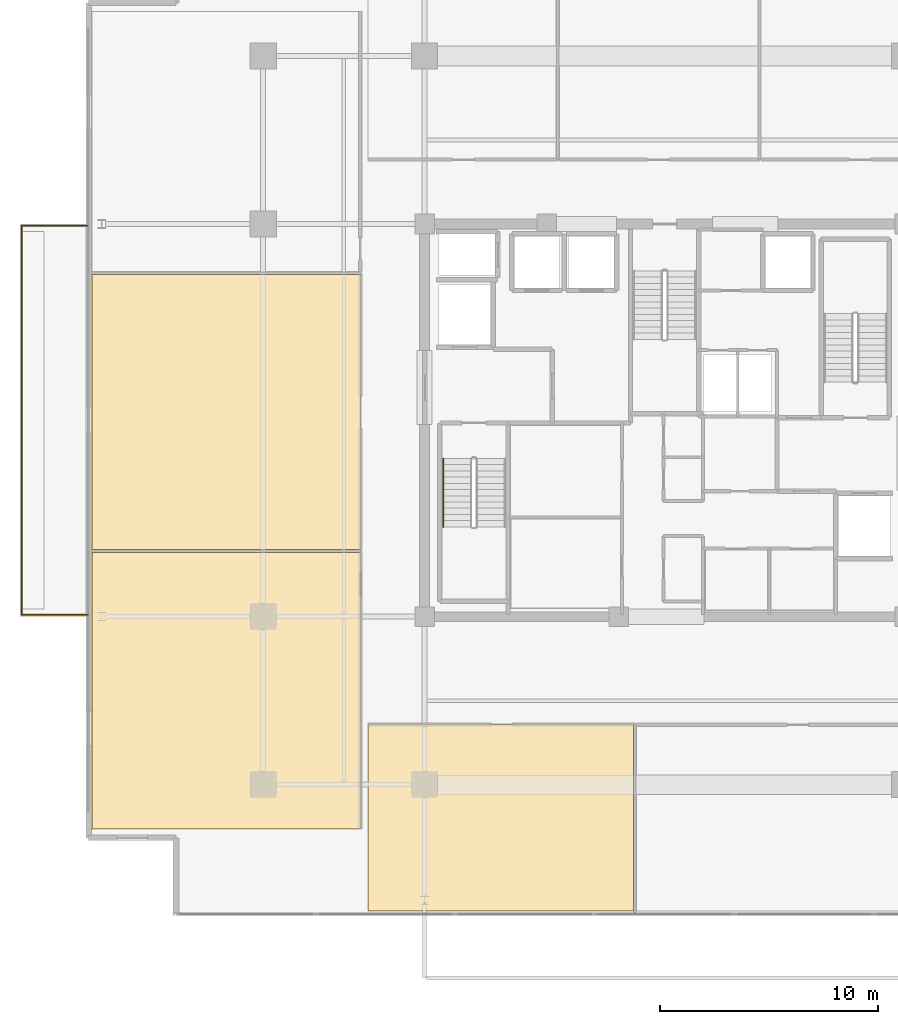
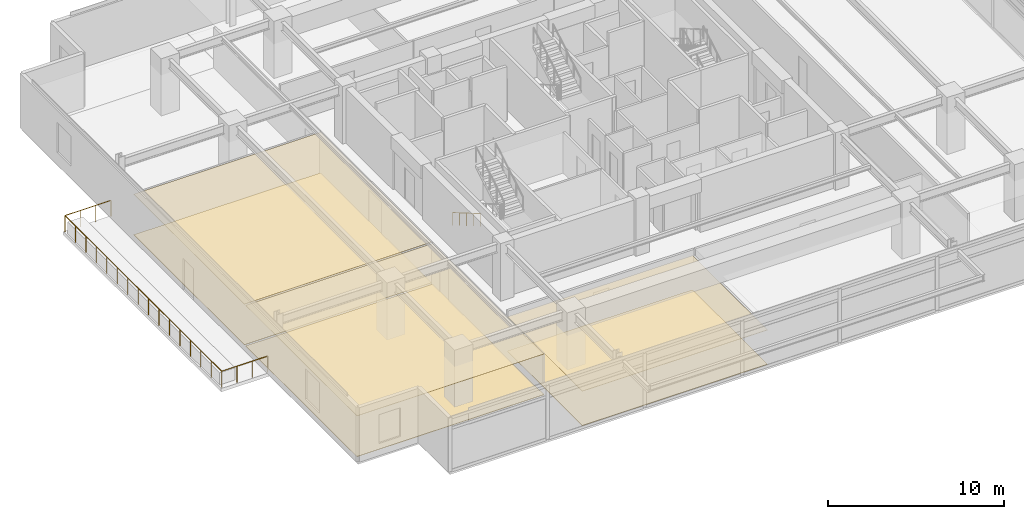
# One storey, part 16 of 19: 6 coverings, 2 railings.
"""IFC4 building model written with IfcOpenShell, lengths in metres."""

from ifc_helpers import new_model, si_unit, direction, frame, origin, origin_2d, place, context, subcontext, project, spatial, polyline, circle, outline, extrude, material, layer, layer_set, type_object, element, save


model = new_model("IFC4")

# Units and contexts
model_context = context("Model", 3, precision=1e-05, world=origin(), true_north=direction((0.0, 1.0)))
body_context = subcontext(model_context, "Body", "Model", "MODEL_VIEW")
ifc_project = project(units=[si_unit("LENGTHUNIT", "METRE"), si_unit("AREAUNIT", "SQUARE_METRE"), si_unit("VOLUMEUNIT", "CUBIC_METRE"), si_unit("PLANEANGLEUNIT", "RADIAN"), si_unit("MASSUNIT", "GRAM", prefix="KILO")], contexts=[model_context])

# Site, building, storey
site_placement = place(None, origin())
site = spatial("IfcSite", under=ifc_project, at=site_placement, CompositionType="ELEMENT")
building_placement = place(site_placement, origin())
building = spatial("IfcBuilding", under=site, at=building_placement, Name="Kovane Verandah Tower", CompositionType="ELEMENT")
storey_placement = place(building_placement, frame((0.0, 0.0, 255.199951171875)))
storey = spatial("IfcBuildingStorey", under=building, at=storey_placement, Name="L59", CompositionType="ELEMENT", Elevation=255.199951171875)

# Coverings
ifc_material_1 = material(Name="Perforated Acoustic Mineral-Fibre Ceiling Tile", Category="gypsum")
ifc_layer_1 = layer(ifc_material_1, 0.02490234375)
ifc_layer_set_1 = layer_set([ifc_layer_1], Name="Perforated Acoustic Mineral-Fibre Ceiling Tile")
covering_type_1 = type_object("IfcCoveringType", Name="CV-CEIL-25", PredefinedType="CEILING", material=ifc_layer_set_1)
covering_1_placement = place(storey_placement, frame((0.0, 0.0, 2.39013671875)))
element("IfcCovering", 1, at=covering_1_placement, inside=storey, type_object=covering_type_1, Name="L59 Document and Print Room S1 Acoustic Ceiling", PredefinedType="CEILING", context=body_context, shape_type="SweptSolid", body=[
    extrude(outline(polyline([(26.39990234375, 5.012451171875), (38.570068359375, 5.012451171875), (38.570068359375, 13.550048828125), (26.39990234375, 13.550048828125), (26.39990234375, 5.012451171875)])), origin(), (0.0, 0.0, 1.0), 0.02490234375),
])
covering_2_placement = place(storey_placement, frame((0.0, 0.0, 2.824951171875)))
element("IfcCovering", 2, at=covering_2_placement, inside=storey, type_object=covering_type_1, Name="L59 Executive Office W1 Acoustic Ceiling", PredefinedType="CEILING", context=body_context, shape_type="SweptSolid", body=[
    extrude(outline(polyline([(13.753662109375, 8.762451171875), (26.050048828125, 8.762451171875), (26.050048828125, 21.43408203125), (13.753662109375, 21.43408203125), (13.753662109375, 8.762451171875)])), origin(), (0.0, 0.0, 1.0), 0.025146484375),
])
covering_3_placement = place(storey_placement, frame((0.0, 0.0, 2.824951171875)))
element("IfcCovering", 3, at=covering_3_placement, inside=storey, type_object=covering_type_1, Name="L59 Client Boardroom W2 Acoustic Ceiling", PredefinedType="CEILING", context=body_context, shape_type="SweptSolid", body=[
    extrude(outline(polyline([(13.753662109375, 21.573974609375), (26.050048828125, 21.573974609375), (26.050048828125, 34.175537109375), (13.753662109375, 34.175537109375), (13.753662109375, 21.573974609375)])), origin(), (0.0, 0.0, 1.0), 0.025146484375),
])
ifc_material_2 = material(Name="Polished Terrazzo and Raised-Access Carpet Tile Finish", Category="concrete")
ifc_layer_2 = layer(ifc_material_2, 0.030029296875)
ifc_layer_set_2 = layer_set([ifc_layer_2], Name="Polished Terrazzo and Raised-Access Carpet Tile Finish")
covering_type_2 = type_object("IfcCoveringType", Name="CV-FLOR-30", PredefinedType="FLOORING", material=ifc_layer_set_2)
covering_4_placement = place(storey_placement, origin())
element("IfcCovering", 4, at=covering_4_placement, inside=storey, type_object=covering_type_2, Name="L59 Document and Print Room S1 Floor Finish", PredefinedType="FLOORING", context=body_context, shape_type="SweptSolid", body=[
    extrude(outline(polyline([(26.39990234375, 5.012451171875), (38.570068359375, 5.012451171875), (38.570068359375, 13.550048828125), (26.39990234375, 13.550048828125), (26.39990234375, 5.012451171875)])), origin(), (0.0, 0.0, 1.0), 0.030029296875),
])
covering_5_placement = place(storey_placement, origin())
element("IfcCovering", 5, at=covering_5_placement, inside=storey, type_object=covering_type_2, Name="L59 Executive Office W1 Floor Finish", PredefinedType="FLOORING", context=body_context, shape_type="SweptSolid", body=[
    extrude(outline(polyline([(13.753662109375, 8.762451171875), (26.050048828125, 8.762451171875), (26.050048828125, 21.43408203125), (13.753662109375, 21.43408203125), (13.753662109375, 8.762451171875)])), origin(), (0.0, 0.0, 1.0), 0.030029296875),
])
covering_6_placement = place(storey_placement, origin())
element("IfcCovering", 6, at=covering_6_placement, inside=storey, type_object=covering_type_2, Name="L59 Client Boardroom W2 Floor Finish", PredefinedType="FLOORING", context=body_context, shape_type="SweptSolid", body=[
    extrude(outline(polyline([(13.753662109375, 21.573974609375), (26.050048828125, 21.573974609375), (26.050048828125, 34.175537109375), (13.753662109375, 34.175537109375), (13.753662109375, 21.573974609375)])), origin(), (0.0, 0.0, 1.0), 0.030029296875),
])

# Railings
ifc_material_3 = material(Name="Laminated Glass and Pale-Champagne Stainless Balustrade", Category="glass")
railing_type_1 = type_object("IfcRailingType", Name="RL-BAL-1150", PredefinedType="BALUSTRADE", material=ifc_material_3)
railing_1_placement = place(storey_placement, frame((13.5537109375, 18.580078125, 0.0)))
element("IfcRailing", 7, at=railing_1_placement, inside=storey, type_object=railing_type_1, Name="L59 W Verandah Glass Balustrade", PredefinedType="BALUSTRADE", context=body_context, shape_type="SweptSolid", body=[
    extrude(circle(Radius=0.02392578125, at=origin_2d()), frame((0.0, 0.0, 1.1259765625), z_axis=(-1.0, 0.0, 0.0), x_axis=(0.0, -1.0, 0.0)), (0.0, 0.0, 1.0), 3.02001953125),
    extrude(circle(Radius=0.02392578125, at=origin_2d()), frame((-3.02001953125, 0.0, 1.1259765625), z_axis=(0.0, 1.0, 0.0), x_axis=(-1.0, 0.0, 0.0)), (0.0, 0.0, 1.0), 17.83984375),
    extrude(circle(Radius=0.02392578125, at=origin_2d()), frame((-3.02001953125, 17.83984375, 1.1259765625), z_axis=(1.0, 0.0, 0.0), x_axis=(0.0, 1.0, 0.0)), (0.0, 0.0, 1.0), 3.02001953125),
    extrude(circle(Radius=0.02099609375, at=origin_2d()), origin(), (0.0, 0.0, 1.0), 1.101806640625),
    extrude(circle(Radius=0.02099609375, at=origin_2d()), frame((-1.006591796875, 0.0, 0.0)), (0.0, 0.0, 1.0), 1.101806640625),
    extrude(circle(Radius=0.02099609375, at=origin_2d()), frame((-2.013427734375, 0.0, 0.0)), (0.0, 0.0, 1.0), 1.101806640625),
    extrude(circle(Radius=0.02099609375, at=origin_2d()), frame((-3.02001953125, 0.0, 0.0)), (0.0, 0.0, 1.0), 1.101806640625),
    extrude(circle(Radius=0.02099609375, at=origin_2d()), frame((-3.02001953125, 1.189208984375, 0.0)), (0.0, 0.0, 1.0), 1.101806640625),
    extrude(circle(Radius=0.02099609375, at=origin_2d()), frame((-3.02001953125, 2.378662109375, 0.0)), (0.0, 0.0, 1.0), 1.101806640625),
    extrude(circle(Radius=0.02099609375, at=origin_2d()), frame((-3.02001953125, 3.56787109375, 0.0)), (0.0, 0.0, 1.0), 1.101806640625),
    extrude(circle(Radius=0.02099609375, at=origin_2d()), frame((-3.02001953125, 4.75732421875, 0.0)), (0.0, 0.0, 1.0), 1.101806640625),
    extrude(circle(Radius=0.02099609375, at=origin_2d()), frame((-3.02001953125, 5.946533203125, 0.0)), (0.0, 0.0, 1.0), 1.101806640625),
    extrude(circle(Radius=0.02099609375, at=origin_2d()), frame((-3.02001953125, 7.135986328125, 0.0)), (0.0, 0.0, 1.0), 1.101806640625),
    extrude(circle(Radius=0.02099609375, at=origin_2d()), frame((-3.02001953125, 8.3251953125, 0.0)), (0.0, 0.0, 1.0), 1.101806640625),
    extrude(circle(Radius=0.02099609375, at=origin_2d()), frame((-3.02001953125, 9.5146484375, 0.0)), (0.0, 0.0, 1.0), 1.101806640625),
    extrude(circle(Radius=0.02099609375, at=origin_2d()), frame((-3.02001953125, 10.703857421875, 0.0)), (0.0, 0.0, 1.0), 1.101806640625),
    extrude(circle(Radius=0.02099609375, at=origin_2d()), frame((-3.02001953125, 11.893310546875, 0.0)), (0.0, 0.0, 1.0), 1.101806640625),
    extrude(circle(Radius=0.02099609375, at=origin_2d()), frame((-3.02001953125, 13.08251953125, 0.0)), (0.0, 0.0, 1.0), 1.101806640625),
    extrude(circle(Radius=0.02099609375, at=origin_2d()), frame((-3.02001953125, 14.27197265625, 0.0)), (0.0, 0.0, 1.0), 1.101806640625),
    extrude(circle(Radius=0.02099609375, at=origin_2d()), frame((-3.02001953125, 15.461181640625, 0.0)), (0.0, 0.0, 1.0), 1.101806640625),
    extrude(circle(Radius=0.02099609375, at=origin_2d()), frame((-3.02001953125, 16.650634765625, 0.0)), (0.0, 0.0, 1.0), 1.101806640625),
    extrude(circle(Radius=0.02099609375, at=origin_2d()), frame((-3.02001953125, 17.83984375, 0.0)), (0.0, 0.0, 1.0), 1.101806640625),
    extrude(circle(Radius=0.02099609375, at=origin_2d()), frame((-2.013427734375, 17.83984375, 0.0)), (0.0, 0.0, 1.0), 1.101806640625),
    extrude(circle(Radius=0.02099609375, at=origin_2d()), frame((-1.006591796875, 17.83984375, 0.0)), (0.0, 0.0, 1.0), 1.101806640625),
    extrude(circle(Radius=0.02099609375, at=origin_2d()), frame((0.0, 17.83984375, 0.0)), (0.0, 0.0, 1.0), 1.101806640625),
])
ifc_material_4 = material(Name="Brushed Stainless Steel Handrail", Category="steel")
railing_type_2 = type_object("IfcRailingType", Name="RL-HAND-920", PredefinedType="HANDRAIL", material=ifc_material_4)
railing_2_placement = place(storey_placement, frame((29.85009765625, 25.75, 0.166748046875)))
element("IfcRailing", 8, at=railing_2_placement, inside=storey, type_object=railing_type_2, Name="L59 ST-01 stair handrail 1", PredefinedType="HANDRAIL", context=body_context, shape_type="SweptSolid", body=[
    extrude(circle(Radius=0.02392578125, at=origin_2d()), frame((0.0, 0.0, 0.8759765625), z_axis=(0.0, -0.863239559939, 0.504794475164), x_axis=(1.0, 0.0, 0.0)), (0.0, 0.0, 1.0), 3.631591796875),
    extrude(circle(Radius=0.02099609375, at=origin_2d()), origin(), (0.0, 0.0, 1.0), 0.851806640625),
    extrude(circle(Radius=0.02099609375, at=origin_2d()), frame((0.0, -0.78369140625, 0.458251953125)), (0.0, 0.0, 1.0), 0.851806640625),
    extrude(circle(Radius=0.02099609375, at=origin_2d()), frame((0.0, -1.5673828125, 0.91650390625)), (0.0, 0.0, 1.0), 0.851806640625),
    extrude(circle(Radius=0.02099609375, at=origin_2d()), frame((0.0, -2.351318359375, 1.375)), (0.0, 0.0, 1.0), 0.851806640625),
    extrude(circle(Radius=0.02099609375, at=origin_2d()), frame((0.0, -3.135009765625, 1.833251953125)), (0.0, 0.0, 1.0), 0.851806640625),
])

save(model, "model.ifc")
